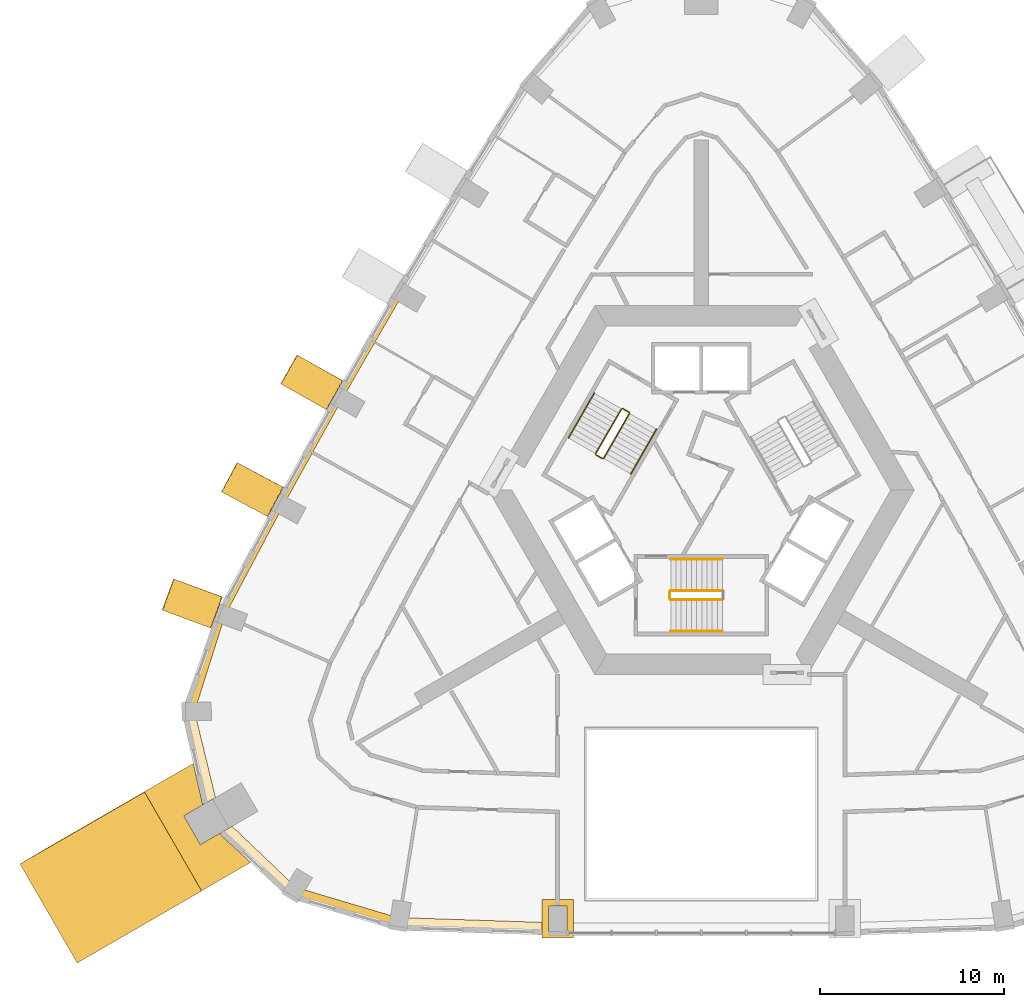
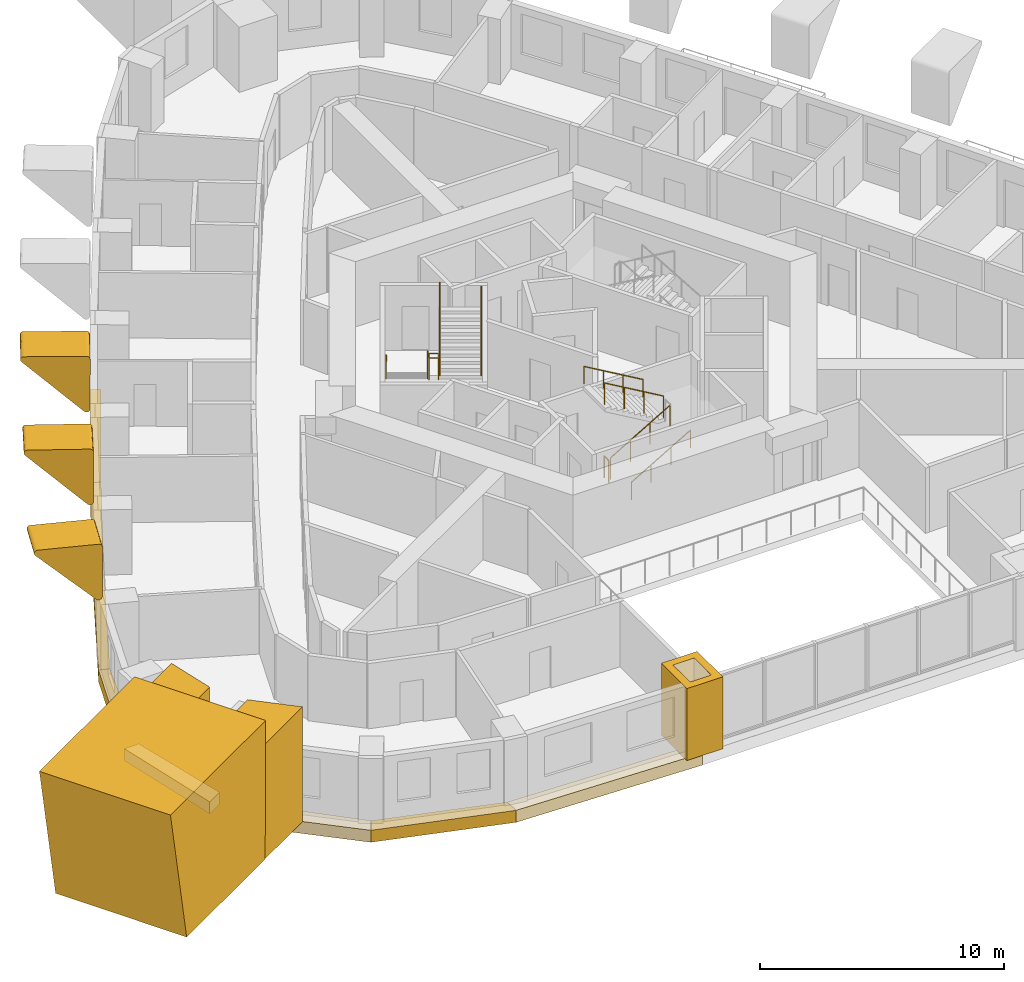
# One storey, part 10 of 12: 14 coverings, 11 railings.
"""IFC4 building model written with IfcOpenShell, lengths in metres."""

from ifc_helpers import new_model, si_unit, direction, frame, origin, origin_2d, place, context, subcontext, project, spatial, polyline, circle, outline, extrude, material, type_object, element, save


model = new_model("IFC4")

# Units and contexts
model_context = context("Model", 3, precision=1e-05, world=origin(), true_north=direction((0.0, 1.0)))
body_context = subcontext(model_context, "Body", "Model", "MODEL_VIEW")
ifc_project = project(units=[si_unit("LENGTHUNIT", "METRE"), si_unit("AREAUNIT", "SQUARE_METRE"), si_unit("VOLUMEUNIT", "CUBIC_METRE"), si_unit("PLANEANGLEUNIT", "RADIAN"), si_unit("MASSUNIT", "GRAM", prefix="KILO")], contexts=[model_context])

# Site, building, storey
site_placement = place(None, origin())
site = spatial("IfcSite", under=ifc_project, at=site_placement, CompositionType="ELEMENT")
building_placement = place(site_placement, origin())
building = spatial("IfcBuilding", under=site, at=building_placement, Name="Entoto Arch Interchange Tower", CompositionType="ELEMENT")
storey_placement = place(building_placement, frame((0.0, 0.0, 273.800048828125)))
storey = spatial("IfcBuildingStorey", under=building, at=storey_placement, Name="L63", CompositionType="ELEMENT", Elevation=273.800048828125)

# Coverings
ifc_material_1 = material(Name="Board-marked precast concrete C50/60", Category="concrete")
covering_type_1 = type_object("IfcCoveringType", Name="PRECAST FRAME COURSE", PredefinedType="CLADDING", material=ifc_material_1)
covering_1_placement = place(storey_placement, frame((0.0, 0.0, -0.340087890625)))
element("IfcCovering", 1, at=covering_1_placement, inside=storey, type_object=covering_type_1, Name="Corner pilaster SW L63-L64", PredefinedType="CLADDING", context=body_context, shape_type="SweptSolid", body=[
    extrude(outline(polyline([(-27.10498046875, -19.22900390625), (-30.205078125, -13.85888671875), (-27.547119140625, -12.324951171875), (-27.0419921875, -14.573974609375), (-28.06494140625, -15.1650390625), (-27.1650390625, -16.722900390625), (-26.14208984375, -16.133056640625), (-24.447021484375, -17.694091796875), (-27.10498046875, -19.22900390625)])), origin(), (0.0, 0.0, 1.0), 5.739990234375),
])
covering_2_placement = place(storey_placement, frame((-30.205078125, -13.85888671875, -0.340087890625), z_axis=(-0.500047837468, 0.865992560456, 0.003007570125), x_axis=(-0.865996476954, -0.500050099394, 1.2469e-07)))
element("IfcCovering", 2, at=covering_2_placement, inside=storey, type_object=covering_type_1, Name="Corner rib SW L63-L64", PredefinedType="CLADDING", context=body_context, shape_type="SweptSolid", body=[
    extrude(outline(polyline([(0.0, 0.0), (6.43297552999068, -1.734723475976807e-18), (7.799494207152577, 6.939971821484725), (-0.00047914786967913554, 6.9399735961969435), (0.0, 0.0)])), origin(), (0.0, 0.0, -1.0), 6.199951171875),
])
covering_3_placement = place(storey_placement, frame((-19.653076171875, 8.55908203125, 3.847900390625), z_axis=(0.491421913979, 0.870916307717, 0.003047525729), x_axis=(0.70397040152, -0.395156206358, -0.590150189664)))
element("IfcCovering", 3, at=covering_3_placement, inside=storey, type_object=covering_type_1, Name="Fold rib NW04 L63-L64", PredefinedType="CLADDING", context=body_context, shape_type="SweptSolid", body=[
    extrude(outline(polyline([(0.0, 0.0), (0.04385280652892837, -3.469446951953614e-18), (0.08594259270380242, -0.013230578858250082), (0.12203147148791862, -0.03719205525861406), (0.14163086122849497, -0.059079316985685665), (0.1628805832853756, -0.09820312384964387), (0.17143492475399943, -0.14135247983468802), (0.16728182216020135, -0.1842847767360583), (0.1502123874928656, -0.22503140433671281), (-1.3299305774508832, -2.2509841708349962), (-1.3488368910757802, -2.2731512775511913), (-1.3724771850634667, -2.290347311210479), (-1.39911296386056, -2.303233446381084), (-1.4273973812342062, -2.310983770998982), (-1.4570700660497686, -2.3128818225784), (-1.486723149031271, -2.3084428916690167), (-1.5139162924826022, -2.298541559056829), (-1.5393622320820943, -2.283571129407557), (-3.606717262276028, -0.7722735900243085), (-3.6288771583817683, -0.7524477715797531), (-3.645984727302713, -0.7287500179358652), (-3.6590408639894925, -0.7019678172164117), (-3.6668134441105025, -0.673907925984137), (-3.6681827576620627, -0.6444798182467677), (-3.663312702095618, -0.6144712841521005), (-3.653511841629433, -0.5871598251266237), (-3.6392005676790236, -0.5616330404921408), (-3.618644569681527, -0.5394636267027444), (-3.5947637223744997, -0.522141828976457), (-3.5683684968967473, -0.5093814578728522), (-3.539801059198651, -0.5030454366645509), (0.0, 0.0)])), origin(), (0.0, 0.0, -1.0), 1.800048828125),
])
covering_4_placement = place(storey_placement, frame((-22.882080078125, 2.77294921875, 3.848876953125), z_axis=(0.473836587046, 0.880607549328, 0.003038559499), x_axis=(0.695100158144, -0.371895995626, -0.615247217455)))
element("IfcCovering", 4, at=covering_4_placement, inside=storey, type_object=covering_type_1, Name="Fold rib NW05 L63-L64", PredefinedType="CLADDING", context=body_context, shape_type="SweptSolid", body=[
    extrude(outline(polyline([(0.0, 0.0), (0.028966450108681187, 0.0), (0.07183852271866734, -0.0093005086257434), (0.11038470465349946, -0.03164178595668888), (0.14031061065645017, -0.06398007216477142), (0.1588111103393657, -0.10257312994722241), (0.1672737282277384, -0.14572293516722443), (0.16080082349945435, -0.18898221199413906), (0.14350128739273812, -0.22998812948422567), (-1.399340135195005, -2.2073686081319255), (-1.4197840572935123, -2.228268980364611), (-1.443112017046413, -2.2453668070495603), (-1.470617940068403, -2.2570402583536113), (-1.499127437275008, -2.2638994498170306), (-1.5288449215846835, -2.264861764729267), (-1.557807668177973, -2.25991163172325), (-1.5850559499731387, -2.24886765402665), (-1.6094341605411158, -2.2335555053568132), (-3.6227103351366696, -0.6623041222247361), (-3.6442412975543004, -0.6417845641645163), (-3.6612593729525313, -0.6170417293547668), (-3.6724197310149576, -0.5906788059164509), (-3.6799845843625874, -0.5618587579300283), (-3.6804248977988445, -0.5324029113017024), (-3.675210430845456, -0.5033342038802942), (-3.6637811985930178, -0.4757089294907879), (-3.648475892724185, -0.45080311190103783), (-3.6274311432648827, -0.4291328877385636), (-3.60282019331956, -0.41272903337136624), (-3.5762340808067634, -0.4006483663363771), (-3.547646602212766, -0.39508701636942867), (0.0, 0.0)])), origin(), (0.0, 0.0, -1.0), 1.800048828125),
])
covering_5_placement = place(storey_placement, frame((-26.199951171875, -3.202880859375, 3.850830078125), z_axis=(0.34694698352, 0.937879672729, 0.003083846266), x_axis=(0.758438693687, -0.278629631957, -0.589182718784)))
element("IfcCovering", 5, at=covering_5_placement, inside=storey, type_object=covering_type_1, Name="Fold rib NW06 L63-L64", PredefinedType="CLADDING", context=body_context, shape_type="SweptSolid", body=[
    extrude(outline(polyline([(0.0, 0.0), (0.04391811327259264, -3.469446951953614e-18), (0.08562111497722594, -0.013184825830641109), (0.12224108133216495, -0.03716830050210722), (0.14995580534493844, -0.07127733587428994), (0.1672790713835408, -0.11110291404279186), (0.17132417968894395, -0.14003791415378938), (0.167197515650898, -0.18386363311335951), (0.15113663501653432, -0.22412331978923622), (-1.3256853933303314, -2.25008039289285), (-1.3445561871810674, -2.2722753335900965), (-1.3676770303257597, -2.289864116765238), (-1.3942425562814336, -2.302822841998881), (-1.4232536547998917, -2.310068878550262), (-1.4523023875677237, -2.312458091075821), (-1.482090448310612, -2.307960595920188), (-1.5092538629006862, -2.298122758798118), (-1.5343223937930002, -2.2834688843103996), (-3.5813123038614734, -0.7908194602287979), (-3.6036692550477167, -0.7708924539936146), (-3.621270977969896, -0.7480856602703831), (-3.6346608868716297, -0.7211000524114342), (-3.6416101674982233, -0.6924636727339282), (-3.6425659377857347, -0.6633647502471833), (-3.638534133876644, -0.6339742500677348), (-3.6288775820797943, -0.6065700746864513), (-3.6139321174233716, -0.5803031245678809), (-3.5940674702766415, -0.5588321512285348), (-3.5707838749539786, -0.5410628370566659), (-3.5437084632019604, -0.5287729579815488), (-3.5154380274703065, -0.5209881291991902), (0.0, 0.0)])), origin(), (0.0, 0.0, -1.0), 1.800048828125),
])
covering_6_placement = place(storey_placement, frame((0.0, 0.0, -0.340087890625)))
element("IfcCovering", 6, at=covering_6_placement, inside=storey, type_object=covering_type_1, Name="Gate pier L63", PredefinedType="CLADDING", context=body_context, shape_type="SweptSolid", body=[
    extrude(outline(polyline([(-8.634033203125, -19.699951171875), (-6.93408203125, -19.699951171875), (-6.93408203125, -21.800048828125), (-8.634033203125, -21.800048828125), (-8.634033203125, -19.699951171875)]), holes=[polyline([(-8.283935546875, -20.050048828125), (-8.283935546875, -21.449951171875), (-7.283935546875, -21.449951171875), (-7.283935546875, -20.050048828125), (-8.283935546875, -20.050048828125)])]), origin(), (0.0, 0.0, 1.0), 3.60009765625),
])
covering_type_2 = type_object("IfcCoveringType", Name="PRECAST LEDGE COURSE", PredefinedType="CLADDING", material=ifc_material_1)
covering_7_placement = place(storey_placement, frame((0.0, 0.0, -0.93994140625)))
element("IfcCovering", 7, at=covering_7_placement, inside=storey, type_object=covering_type_2, Name="Precast course S-01 L63", PredefinedType="CLADDING", context=body_context, shape_type="SweptSolid", body=[
    extrude(outline(polyline([(-7.800048828125, -20.968994140625), (-7.800048828125, -21.64990234375), (-16.47998046875, -21.3740234375), (-16.47998046875, -20.679931640625), (-7.800048828125, -20.968994140625)])), origin(), (0.0, 0.0, 1.0), 0.599853515625),
])
covering_8_placement = place(storey_placement, frame((0.0, 0.0, -0.93994140625)))
element("IfcCovering", 8, at=covering_8_placement, inside=storey, type_object=covering_type_2, Name="Precast course NW-03 L63", PredefinedType="CLADDING", context=body_context, shape_type="SweptSolid", body=[
    extrude(outline(polyline([(-19.47998046875, 7.428955078125), (-19.873046875, 7.64990234375), (-16.56201171875, 13.385009765625), (-16.174072265625, 13.155029296875), (-19.47998046875, 7.428955078125)])), origin(), (0.0, 0.0, 1.0), 0.599853515625),
])
covering_9_placement = place(storey_placement, frame((0.0, 0.0, -0.93994140625)))
element("IfcCovering", 9, at=covering_9_placement, inside=storey, type_object=covering_type_2, Name="Precast course NW-04 L63", PredefinedType="CLADDING", context=body_context, shape_type="SweptSolid", body=[
    extrude(outline(polyline([(-22.681884765625, 1.64404296875), (-23.083984375, 1.860107421875), (-19.873046875, 7.64990234375), (-19.47998046875, 7.428955078125), (-22.681884765625, 1.64404296875)])), origin(), (0.0, 0.0, 1.0), 0.599853515625),
])
covering_10_placement = place(storey_placement, frame((0.0, 0.0, -0.93994140625)))
element("IfcCovering", 10, at=covering_10_placement, inside=storey, type_object=covering_type_2, Name="Precast course NW-05 L63", PredefinedType="CLADDING", context=body_context, shape_type="SweptSolid", body=[
    extrude(outline(polyline([(-25.83203125, -4.299072265625), (-26.27294921875, -4.135986328125), (-23.083984375, 1.860107421875), (-22.681884765625, 1.64404296875), (-25.83203125, -4.299072265625)])), origin(), (0.0, 0.0, 1.0), 0.599853515625),
])
covering_11_placement = place(storey_placement, frame((0.0, 0.0, -0.93994140625)))
element("IfcCovering", 11, at=covering_11_placement, inside=storey, type_object=covering_type_2, Name="Precast course SW-01 L63", PredefinedType="CLADDING", context=body_context, shape_type="SweptSolid", body=[
    extrude(outline(polyline([(-27.47900390625, -9.510986328125), (-28.174072265625, -9.529052734375), (-26.27294921875, -4.135986328125), (-25.83203125, -4.299072265625), (-27.47900390625, -9.510986328125)])), origin(), (0.0, 0.0, 1.0), 0.599853515625),
])
covering_12_placement = place(storey_placement, frame((0.0, 0.0, -0.93994140625)))
element("IfcCovering", 12, at=covering_12_placement, inside=storey, type_object=covering_type_2, Name="Precast course SW-02 L63", PredefinedType="CLADDING", context=body_context, shape_type="SweptSolid", body=[
    extrude(outline(polyline([(-26.345947265625, -14.173095703125), (-27.0419921875, -14.573974609375), (-28.174072265625, -9.529052734375), (-27.47900390625, -9.510986328125), (-26.345947265625, -14.173095703125)])), origin(), (0.0, 0.0, 1.0), 0.599853515625),
])
covering_13_placement = place(storey_placement, frame((0.0, 0.0, -0.93994140625)))
element("IfcCovering", 13, at=covering_13_placement, inside=storey, type_object=covering_type_2, Name="Precast course SW-03 L63", PredefinedType="CLADDING", context=body_context, shape_type="SweptSolid", body=[
    extrude(outline(polyline([(-21.97705078125, -19.0419921875), (-22.340087890625, -19.635009765625), (-26.14208984375, -16.133056640625), (-25.446044921875, -15.73095703125), (-21.97705078125, -19.0419921875)])), origin(), (0.0, 0.0, 1.0), 0.599853515625),
])
covering_14_placement = place(storey_placement, frame((0.0, 0.0, -0.93994140625)))
element("IfcCovering", 14, at=covering_14_placement, inside=storey, type_object=covering_type_2, Name="Precast course SW-04 L63", PredefinedType="CLADDING", context=body_context, shape_type="SweptSolid", body=[
    extrude(outline(polyline([(-16.47998046875, -20.679931640625), (-16.47998046875, -21.3740234375), (-22.340087890625, -19.635009765625), (-21.97705078125, -19.0419921875), (-16.47998046875, -20.679931640625)])), origin(), (0.0, 0.0, 1.0), 0.599853515625),
])

# Railings
ifc_material_2 = material(Name="Stainless steel 1.4301", Category="steel")
railing_type_1 = type_object("IfcRailingType", Name="STAIR GUARD 1100 STEEL", PredefinedType="GUARDRAIL", material=ifc_material_2)
railing_1_placement = place(storey_placement, frame((-1.64990234375, -3.449951171875, 0.16357421875)))
element("IfcRailing", 15, at=railing_1_placement, inside=storey, type_object=railing_type_1, Name="L63 ST-S stair guard 1", PredefinedType="GUARDRAIL", context=body_context, shape_type="SweptSolid", body=[
    extrude(circle(Radius=0.02392578125, at=origin_2d()), frame((0.0, 0.0, 1.076171875), z_axis=(0.863341702679, 0.0, 0.504619762213), x_axis=(0.0, 1.0, 0.0)), (0.0, 0.0, 1.0), 3.242919921875),
    extrude(circle(Radius=0.02099609375, at=origin_2d()), origin(), (0.0, 0.0, 1.0), 1.052001953125),
    extrude(circle(Radius=0.02099609375, at=origin_2d()), frame((0.933349609375, 0.0, 0.54541015625)), (0.0, 0.0, 1.0), 1.052001953125),
    extrude(circle(Radius=0.02099609375, at=origin_2d()), frame((1.866455078125, 0.0, 1.091064453125)), (0.0, 0.0, 1.0), 1.052001953125),
    extrude(circle(Radius=0.02099609375, at=origin_2d()), frame((2.7998046875, 0.0, 1.636474609375)), (0.0, 0.0, 1.0), 1.052001953125),
])
railing_2_placement = place(storey_placement, frame((1.14990234375, -2.949951171875, 1.963623046875)))
element("IfcRailing", 16, at=railing_2_placement, inside=storey, type_object=railing_type_1, Name="L63 ST-S stair guard 3", PredefinedType="GUARDRAIL", context=body_context, shape_type="SweptSolid", body=[
    extrude(circle(Radius=0.02392578125, at=origin_2d()), frame((0.0, 0.0, 1.076171875), z_axis=(-0.863374499697, 0.0, 0.504563646405), x_axis=(0.0, -1.0, 0.0)), (0.0, 0.0, 1.0), 3.242919921875),
    extrude(circle(Radius=0.02099609375, at=origin_2d()), origin(), (0.0, 0.0, 1.0), 1.052001953125),
    extrude(circle(Radius=0.02099609375, at=origin_2d()), frame((-0.933349609375, 0.0, 0.54541015625)), (0.0, 0.0, 1.0), 1.052001953125),
    extrude(circle(Radius=0.02099609375, at=origin_2d()), frame((-1.866455078125, 0.0, 1.0908203125)), (0.0, 0.0, 1.0), 1.052001953125),
    extrude(circle(Radius=0.02099609375, at=origin_2d()), frame((-2.7998046875, 0.0, 1.63623046875)), (0.0, 0.0, 1.0), 1.052001953125),
])
railing_3_placement = place(storey_placement, frame((-1.699951171875, -3.39990234375, 0.0)))
element("IfcRailing", 17, at=railing_3_placement, inside=storey, type_object=railing_type_1, Name="L63 ST-S stair guard 4", PredefinedType="GUARDRAIL", context=body_context, shape_type="SweptSolid", body=[
    extrude(circle(Radius=0.02392578125, at=origin_2d()), frame((0.0, 0.0, 1.076171875), z_axis=(0.0, 1.0, 0.0), x_axis=(-1.0, 0.0, 0.0)), (0.0, 0.0, 1.0), 0.39990234375),
    extrude(circle(Radius=0.02099609375, at=origin_2d()), origin(), (0.0, 0.0, 1.0), 1.052001953125),
    extrude(circle(Radius=0.02099609375, at=origin_2d()), frame((0.0, 0.39990234375, 0.0)), (0.0, 0.0, 1.0), 1.052001953125),
])
railing_4_placement = place(storey_placement, frame((-4.327880859375, 6.904052734375, 0.16357421875)))
element("IfcRailing", 18, at=railing_4_placement, inside=storey, type_object=railing_type_1, Name="L63 ST-NW stair guard 1", PredefinedType="GUARDRAIL", context=body_context, shape_type="SweptSolid", body=[
    extrude(circle(Radius=0.02392578125, at=origin_2d()), frame((0.0, 0.0, 1.076171875), z_axis=(-0.431636334334, -0.747723004699, 0.504579412111), x_axis=(0.866056369097, -0.49994636267, 0.0)), (0.0, 0.0, 1.0), 3.2431640625),
    extrude(circle(Radius=0.02099609375, at=origin_2d()), origin(), (0.0, 0.0, 1.0), 1.052001953125),
    extrude(circle(Radius=0.02099609375, at=origin_2d()), frame((-0.466552734375, -0.808349609375, 0.54541015625)), (0.0, 0.0, 1.0), 1.052001953125),
    extrude(circle(Radius=0.02099609375, at=origin_2d()), frame((-0.933349609375, -1.61669921875, 1.091064453125)), (0.0, 0.0, 1.0), 1.052001953125),
    extrude(circle(Radius=0.02099609375, at=origin_2d()), frame((-1.39990234375, -2.425048828125, 1.636474609375)), (0.0, 0.0, 1.0), 1.052001953125),
])
railing_5_placement = place(storey_placement, frame((-5.70947265625, 4.410888671875, 1.800048828125)))
element("IfcRailing", 19, at=railing_5_placement, inside=storey, type_object=railing_type_1, Name="L63 ST-NW stair guard 2", PredefinedType="GUARDRAIL", context=body_context, shape_type="SweptSolid", body=[
    extrude(circle(Radius=0.02392578125, at=origin_2d()), frame((0.0, 0.0, 1.076171875), z_axis=(0.865829829939, -0.500338590944, 0.0), x_axis=(0.500338590944, 0.865829829939, 0.0)), (0.0, 0.0, 1.0), 0.400146484375),
    extrude(circle(Radius=0.02099609375, at=origin_2d()), origin(), (0.0, 0.0, 1.0), 1.052001953125),
    extrude(circle(Radius=0.02099609375, at=origin_2d()), frame((0.346435546875, -0.2001953125, 0.0)), (0.0, 0.0, 1.0), 1.052001953125),
])
railing_6_placement = place(storey_placement, frame((-5.294921875, 4.22900390625, 1.963623046875)))
element("IfcRailing", 20, at=railing_6_placement, inside=storey, type_object=railing_type_1, Name="L63 ST-NW stair guard 3", PredefinedType="GUARDRAIL", context=body_context, shape_type="SweptSolid", body=[
    extrude(circle(Radius=0.02392578125, at=origin_2d()), frame((0.0, 0.0, 1.076171875), z_axis=(0.431713979052, 0.747727106176, 0.504506902808), x_axis=(-0.866018616679, 0.500011755427, 0.0)), (0.0, 0.0, 1.0), 3.2431640625),
    extrude(circle(Radius=0.02099609375, at=origin_2d()), origin(), (0.0, 0.0, 1.0), 1.052001953125),
    extrude(circle(Radius=0.02099609375, at=origin_2d()), frame((0.466796875, 0.808349609375, 0.54541015625)), (0.0, 0.0, 1.0), 1.052001953125),
    extrude(circle(Radius=0.02099609375, at=origin_2d()), frame((0.933349609375, 1.61669921875, 1.0908203125)), (0.0, 0.0, 1.0), 1.052001953125),
    extrude(circle(Radius=0.02099609375, at=origin_2d()), frame((1.400146484375, 2.425048828125, 1.63623046875)), (0.0, 0.0, 1.0), 1.052001953125),
])
railing_7_placement = place(storey_placement, frame((-4.259521484375, 6.92236328125, 0.0)))
element("IfcRailing", 21, at=railing_7_placement, inside=storey, type_object=railing_type_1, Name="L63 ST-NW stair guard 4", PredefinedType="GUARDRAIL", context=body_context, shape_type="SweptSolid", body=[
    extrude(circle(Radius=0.02392578125, at=origin_2d()), frame((0.0, 0.0, 1.076171875), z_axis=(0.865829829939, -0.500338590944, 0.0), x_axis=(0.500338590944, 0.865829829939, 0.0)), (0.0, 0.0, 1.0), 0.400146484375),
    extrude(circle(Radius=0.02099609375, at=origin_2d()), origin(), (0.0, 0.0, 1.0), 1.052001953125),
    extrude(circle(Radius=0.02099609375, at=origin_2d()), frame((0.346435546875, -0.2001953125, 0.0)), (0.0, 0.0, 1.0), 1.052001953125),
])
railing_type_2 = type_object("IfcRailingType", Name="STAIR HANDRAIL 900 STEEL", PredefinedType="HANDRAIL", material=ifc_material_2)
railing_8_placement = place(storey_placement, frame((-1.64990234375, -5.14990234375, 0.16357421875)))
element("IfcRailing", 22, at=railing_8_placement, inside=storey, type_object=railing_type_2, Name="L63 ST-S stair handrail 1", PredefinedType="HANDRAIL", context=body_context, shape_type="SweptSolid", body=[
    extrude(circle(Radius=0.02392578125, at=origin_2d()), frame((0.0, 0.0, 0.8759765625), z_axis=(0.863341702679, 0.0, 0.504619762213), x_axis=(0.0, 1.0, 0.0)), (0.0, 0.0, 1.0), 3.242919921875),
    extrude(circle(Radius=0.02099609375, at=origin_2d()), origin(), (0.0, 0.0, 1.0), 0.851806640625),
    extrude(circle(Radius=0.02099609375, at=origin_2d()), frame((0.933349609375, 0.0, 0.54541015625)), (0.0, 0.0, 1.0), 0.851806640625),
    extrude(circle(Radius=0.02099609375, at=origin_2d()), frame((1.866455078125, 0.0, 1.091064453125)), (0.0, 0.0, 1.0), 0.851806640625),
    extrude(circle(Radius=0.02099609375, at=origin_2d()), frame((2.7998046875, 0.0, 1.636474609375)), (0.0, 0.0, 1.0), 0.851806640625),
])
railing_9_placement = place(storey_placement, frame((1.14990234375, -1.25, 1.963623046875)))
element("IfcRailing", 23, at=railing_9_placement, inside=storey, type_object=railing_type_2, Name="L63 ST-S stair handrail 2", PredefinedType="HANDRAIL", context=body_context, shape_type="SweptSolid", body=[
    extrude(circle(Radius=0.02392578125, at=origin_2d()), frame((0.0, 0.0, 0.8759765625), z_axis=(-0.863374499697, 0.0, 0.504563646405), x_axis=(0.0, -1.0, 0.0)), (0.0, 0.0, 1.0), 3.242919921875),
    extrude(circle(Radius=0.02099609375, at=origin_2d()), origin(), (0.0, 0.0, 1.0), 0.851806640625),
    extrude(circle(Radius=0.02099609375, at=origin_2d()), frame((-0.933349609375, 0.0, 0.54541015625)), (0.0, 0.0, 1.0), 0.851806640625),
    extrude(circle(Radius=0.02099609375, at=origin_2d()), frame((-1.866455078125, 0.0, 1.0908203125)), (0.0, 0.0, 1.0), 0.851806640625),
    extrude(circle(Radius=0.02099609375, at=origin_2d()), frame((-2.7998046875, 0.0, 1.63623046875)), (0.0, 0.0, 1.0), 0.851806640625),
])
railing_10_placement = place(storey_placement, frame((-5.800048828125, 7.75390625, 0.16357421875)))
element("IfcRailing", 24, at=railing_10_placement, inside=storey, type_object=railing_type_2, Name="L63 ST-NW stair handrail 1", PredefinedType="HANDRAIL", context=body_context, shape_type="SweptSolid", body=[
    extrude(circle(Radius=0.02392578125, at=origin_2d()), frame((0.0, 0.0, 0.8759765625), z_axis=(-0.431721881032, -0.747665513933, 0.504591415616), x_axis=(0.865996816683, -0.500049511043, 0.0)), (0.0, 0.0, 1.0), 3.2431640625),
    extrude(circle(Radius=0.02099609375, at=origin_2d()), origin(), (0.0, 0.0, 1.0), 0.851806640625),
    extrude(circle(Radius=0.02099609375, at=origin_2d()), frame((-0.466796875, -0.808349609375, 0.54541015625)), (0.0, 0.0, 1.0), 0.851806640625),
    extrude(circle(Radius=0.02099609375, at=origin_2d()), frame((-0.933349609375, -1.616455078125, 1.091064453125)), (0.0, 0.0, 1.0), 0.851806640625),
    extrude(circle(Radius=0.02099609375, at=origin_2d()), frame((-1.400146484375, -2.4248046875, 1.636474609375)), (0.0, 0.0, 1.0), 0.851806640625),
])
railing_11_placement = place(storey_placement, frame((-3.822509765625, 3.379150390625, 1.963623046875)))
element("IfcRailing", 25, at=railing_11_placement, inside=storey, type_object=railing_type_2, Name="L63 ST-NW stair handrail 2", PredefinedType="HANDRAIL", context=body_context, shape_type="SweptSolid", body=[
    extrude(circle(Radius=0.02392578125, at=origin_2d()), frame((0.0, 0.0, 0.8759765625), z_axis=(0.431677027627, 0.74771821388, 0.504551698492), x_axis=(-0.866034573852, 0.49998411664, 0.0)), (0.0, 0.0, 1.0), 3.242919921875),
    extrude(circle(Radius=0.02099609375, at=origin_2d()), origin(), (0.0, 0.0, 1.0), 0.851806640625),
    extrude(circle(Radius=0.02099609375, at=origin_2d()), frame((0.466552734375, 0.808349609375, 0.54541015625)), (0.0, 0.0, 1.0), 0.851806640625),
    extrude(circle(Radius=0.02099609375, at=origin_2d()), frame((0.933349609375, 1.616455078125, 1.0908203125)), (0.0, 0.0, 1.0), 0.851806640625),
    extrude(circle(Radius=0.02099609375, at=origin_2d()), frame((1.39990234375, 2.4248046875, 1.63623046875)), (0.0, 0.0, 1.0), 0.851806640625),
])

save(model, "model.ifc")
